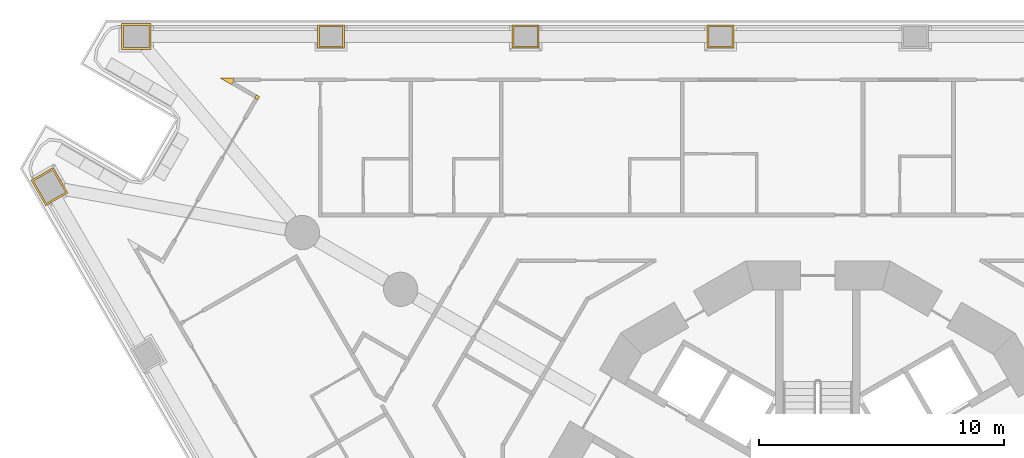
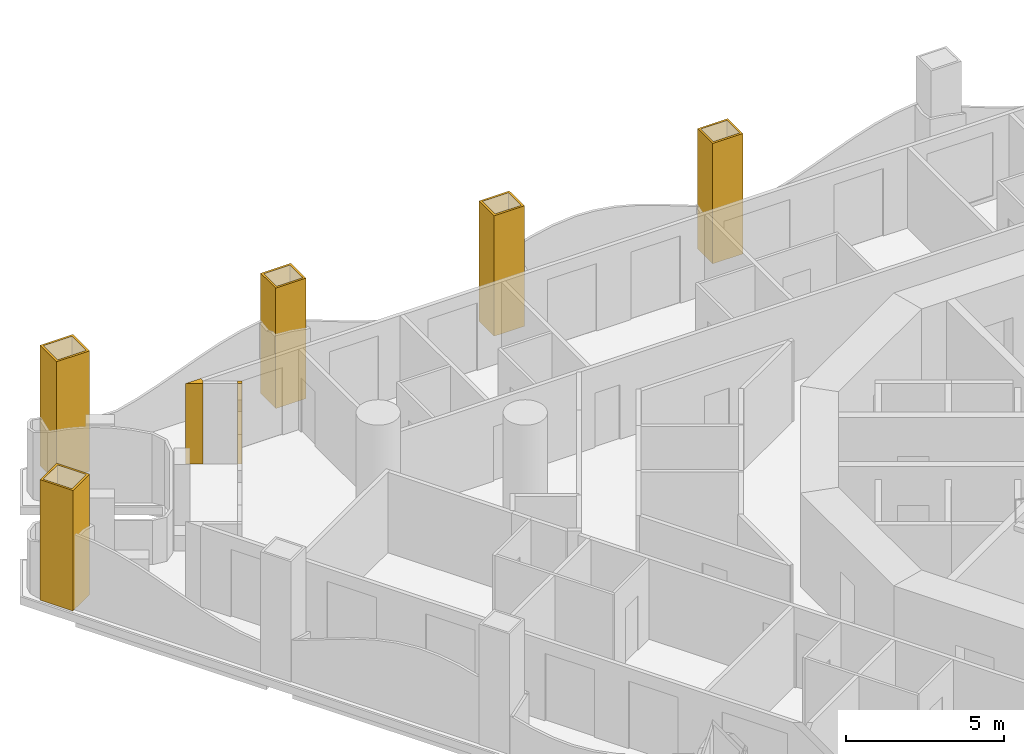
# One storey, part 16 of 19: 7 coverings.
"""IFC4 building model written with IfcOpenShell, lengths in metres."""

from ifc_helpers import new_model, si_unit, direction, frame, origin, place, context, subcontext, project, spatial, polyline, outline, extrude, material, layer, layer_set, type_object, element, save


model = new_model("IFC4")

# Units and contexts
model_context = context("Model", 3, precision=1e-05, world=origin(), true_north=direction((0.0, 1.0)))
body_context = subcontext(model_context, "Body", "Model", "MODEL_VIEW")
ifc_project = project(units=[si_unit("LENGTHUNIT", "METRE"), si_unit("AREAUNIT", "SQUARE_METRE"), si_unit("VOLUMEUNIT", "CUBIC_METRE"), si_unit("PLANEANGLEUNIT", "RADIAN"), si_unit("MASSUNIT", "GRAM", prefix="KILO")], contexts=[model_context])

# Site, building, storey
site_placement = place(None, origin())
site = spatial("IfcSite", under=ifc_project, at=site_placement, CompositionType="ELEMENT")
building_placement = place(site_placement, origin())
building = spatial("IfcBuilding", under=site, at=building_placement, Name="Trine Commons Tower", CompositionType="ELEMENT")
storey_placement = place(building_placement, frame((0.0, 0.0, 42.300048828125)))
storey = spatial("IfcBuildingStorey", under=building, at=storey_placement, Name="L09", CompositionType="ELEMENT", Elevation=42.300048828125)

# Coverings
ifc_material_1 = material(Name="Aluminium-framed insulated wall panel", Category="aluminium")
ifc_layer_1 = layer(ifc_material_1, 0.14990234375)
ifc_layer_set_1 = layer_set([ifc_layer_1], Name="Aluminium-framed insulated wall panel")
covering_type_1 = type_object("IfcCoveringType", Name="Glazing corner post, aluminium", PredefinedType="CLADDING", material=ifc_layer_set_1)
covering_1_placement = place(storey_placement, origin())
element("IfcCovering", 1, at=covering_1_placement, inside=storey, type_object=covering_type_1, Name="Glazing corner post 1-03", PredefinedType="CLADDING", context=body_context, shape_type="SweptSolid", body=[
    extrude(outline(polyline([(57.101318359375, 80.0966796875), (57.176513671875, 80.226806640625), (57.04638671875, 80.3017578125), (56.971435546875, 80.171875), (57.101318359375, 80.0966796875)])), origin(), (0.0, 0.0, 1.0), 3.099853515625),
])
covering_2_placement = place(storey_placement, origin())
element("IfcCovering", 2, at=covering_2_placement, inside=storey, type_object=covering_type_1, Name="Glazing corner post 1-04", PredefinedType="CLADDING", context=body_context, shape_type="SweptSolid", body=[
    extrude(outline(polyline([(56.03125, 80.714599609375), (56.106201171875, 80.844482421875), (56.106201171875, 80.99462890625), (55.54638671875, 80.99462890625), (56.03125, 80.714599609375)])), origin(), (0.0, 0.0, 1.0), 3.099853515625),
])
ifc_material_2 = material(Name="Limestone, honed", Category="masonry")
ifc_layer_2 = layer(ifc_material_2, 0.074951171875)
ifc_layer_set_2 = layer_set([ifc_layer_2], Name="Limestone, honed")
covering_type_2 = type_object("IfcCoveringType", Name="Limestone column cladding 75", PredefinedType="CLADDING", material=ifc_layer_set_2)
covering_3_placement = place(storey_placement, origin())
element("IfcCovering", 3, at=covering_3_placement, inside=storey, type_object=covering_type_2, Name="Limestone pier cladding 1-08", PredefinedType="CLADDING", context=body_context, shape_type="SweptSolid", body=[
    extrude(outline(polyline([(48.73828125, 77.327392578125), (47.8291015625, 76.802490234375), (48.428955078125, 75.76318359375), (49.33837890625, 76.288330078125), (48.73828125, 77.327392578125)]), holes=[polyline([(48.7109375, 77.22509765625), (47.931396484375, 76.775146484375), (48.45654296875, 75.86572265625), (49.23583984375, 76.315673828125), (48.7109375, 77.22509765625)])]), origin(), (0.0, 0.0, 1.0), 4.641357421875),
])
covering_4_placement = place(storey_placement, origin())
element("IfcCovering", 4, at=covering_4_placement, inside=storey, type_object=covering_type_2, Name="Limestone pier cladding 1-09", PredefinedType="CLADDING", context=body_context, shape_type="SweptSolid", body=[
    extrude(outline(polyline([(52.728271484375, 82.15966796875), (52.728271484375, 83.209716796875), (51.5283203125, 83.209716796875), (51.5283203125, 82.15966796875), (52.728271484375, 82.15966796875)]), holes=[polyline([(52.6533203125, 82.234619140625), (52.6533203125, 83.134521484375), (51.603271484375, 83.134521484375), (51.603271484375, 82.234619140625), (52.6533203125, 82.234619140625)])]), origin(), (0.0, 0.0, 1.0), 4.641357421875),
])
covering_5_placement = place(storey_placement, origin())
element("IfcCovering", 5, at=covering_5_placement, inside=storey, type_object=covering_type_2, Name="Limestone pier cladding 1-10", PredefinedType="CLADDING", context=body_context, shape_type="SweptSolid", body=[
    extrude(outline(polyline([(60.6416015625, 82.209716796875), (60.6416015625, 83.15966796875), (59.54150390625, 83.15966796875), (59.54150390625, 82.209716796875), (60.6416015625, 82.209716796875)]), holes=[polyline([(60.566650390625, 82.28466796875), (60.566650390625, 83.084716796875), (59.61669921875, 83.084716796875), (59.61669921875, 82.28466796875), (60.566650390625, 82.28466796875)])]), origin(), (0.0, 0.0, 1.0), 4.641357421875),
])
covering_6_placement = place(storey_placement, origin())
element("IfcCovering", 6, at=covering_6_placement, inside=storey, type_object=covering_type_2, Name="Limestone pier cladding 1-11", PredefinedType="CLADDING", context=body_context, shape_type="SweptSolid", body=[
    extrude(outline(polyline([(68.60498046875, 82.209716796875), (68.60498046875, 83.15966796875), (67.5048828125, 83.15966796875), (67.5048828125, 82.209716796875), (68.60498046875, 82.209716796875)]), holes=[polyline([(68.52978515625, 82.28466796875), (68.52978515625, 83.084716796875), (67.579833984375, 83.084716796875), (67.579833984375, 82.28466796875), (68.52978515625, 82.28466796875)])]), origin(), (0.0, 0.0, 1.0), 4.641357421875),
])
covering_7_placement = place(storey_placement, origin())
element("IfcCovering", 7, at=covering_7_placement, inside=storey, type_object=covering_type_2, Name="Limestone pier cladding 1-12", PredefinedType="CLADDING", context=body_context, shape_type="SweptSolid", body=[
    extrude(outline(polyline([(76.568359375, 82.209716796875), (76.568359375, 83.15966796875), (75.46826171875, 83.15966796875), (75.46826171875, 82.209716796875), (76.568359375, 82.209716796875)]), holes=[polyline([(76.493408203125, 82.28466796875), (76.493408203125, 83.084716796875), (75.543212890625, 83.084716796875), (75.543212890625, 82.28466796875), (76.493408203125, 82.28466796875)])]), origin(), (0.0, 0.0, 1.0), 4.641357421875),
])

save(model, "model.ifc")
